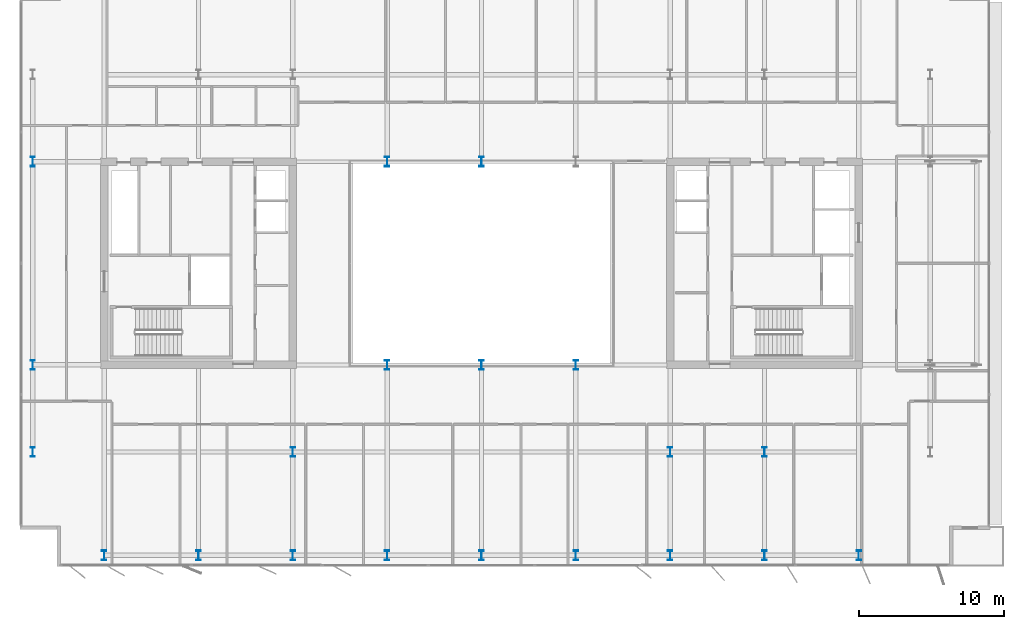
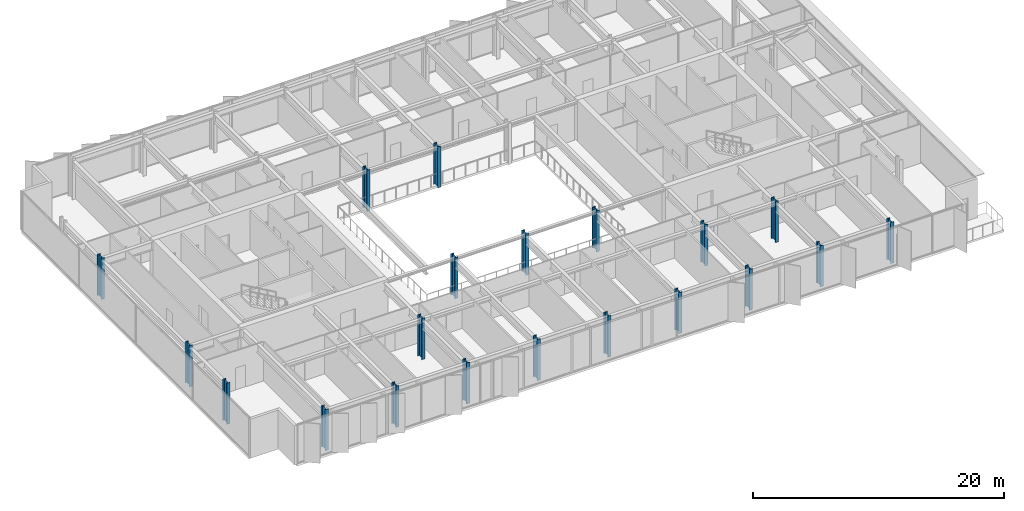
# One storey, part 1 of 20: 20 columns.
"""IFC4 building model written with IfcOpenShell, lengths in metres."""

import ifcopenshell
import ifcopenshell.guid

model = None  # the IFC model being written
_history = None  # IfcOwnerHistory: only IFC2X3 demands one
_inside = {}  # id of a spatial element -> (the spatial element, [elements in it])
_under = {}  # id of a project, library or spatial element -> (it, [spatial elements below it])
_declared = {}  # id of a project -> (the project, [libraries it declares])
_typed = {}  # id of a type object -> (the type object, [elements of that type])
_made_of = {}  # id of a material, layer set ... -> (it, [elements and type objects made of it])


def new_model(schema):
    """Start an empty IFC model of exactly this schema.

    Asked for "IFC4X3", IfcOpenShell would pick the latest addendum, in which some entities
    have other attributes; the version numbers below select the first issue.
    IFC2X3 requires an IfcOwnerHistory on every rooted entity: one is made here for all.
    """
    global model, _history
    if schema == "IFC4X3":
        model = ifcopenshell.file(schema_version=(4, 3, 0, 0))
    else:
        model = ifcopenshell.file(schema=schema)
    _inside.clear()
    _under.clear()
    _declared.clear()
    _typed.clear()
    _made_of.clear()
    _history = None
    if model.schema == "IFC2X3":
        org = make("IfcOrganization", Name="unknown")
        user = make(
            "IfcPersonAndOrganization",
            ThePerson=make("IfcPerson", FamilyName="unknown"),
            TheOrganization=org,
        )
        app = make(
            "IfcApplication",
            ApplicationDeveloper=org,
            Version="unknown",
            ApplicationFullName="unknown",
            ApplicationIdentifier="unknown",
        )
        _history = make(
            "IfcOwnerHistory",
            OwningUser=user,
            OwningApplication=app,
            ChangeAction="ADDED",
            CreationDate=0,
        )
    return model


def make(cls, **values):
    """One entity of the class cls with the attributes given. An attribute that is None is left unset."""
    return model.create_entity(
        cls, **{name: value for name, value in values.items() if value is not None}
    )


def rooted(cls, **values):
    """An entity with a GlobalId (a new one), such as an element, a storey or a relation."""
    return make(cls, GlobalId=ifcopenshell.guid.new(), OwnerHistory=_history, **values)


def si_unit(unit_type, name, prefix=None):
    """IfcSIUnit, for example si_unit("LENGTHUNIT", "METRE", prefix="MILLI")."""
    return make("IfcSIUnit", UnitType=unit_type, Prefix=prefix, Name=name)


def assignment(units):
    """IfcUnitAssignment: the units of a project."""
    return None if units is None else make("IfcUnitAssignment", Units=units)


def point(xyz):
    """IfcCartesianPoint."""
    return None if xyz is None else make("IfcCartesianPoint", Coordinates=xyz)


def direction(xyz):
    """IfcDirection."""
    return None if xyz is None else make("IfcDirection", DirectionRatios=xyz)


def frame(location, z_axis=None, x_axis=None):
    """IfcAxis2Placement3D, a coordinate frame: its origin and axes. An axis left out is left unset."""
    return make(
        "IfcAxis2Placement3D",
        Location=point(location),
        Axis=direction(z_axis),
        RefDirection=direction(x_axis),
    )


def frame_2d(location, x_axis=None):
    """IfcAxis2Placement2D, a coordinate frame in the plane: its origin and x axis."""
    return make(
        "IfcAxis2Placement2D", Location=point(location), RefDirection=direction(x_axis)
    )


def origin():
    """The frame at (0, 0, 0) with its axes left unset."""
    return frame((0.0, 0.0, 0.0))


def origin_2d():
    """The frame at (0, 0) in the plane with its x axis left unset."""
    return frame_2d((0.0, 0.0))


def place(relative_to, where):
    """IfcLocalPlacement: puts the frame where relative to a parent placement (None: the world)."""
    return make(
        "IfcLocalPlacement", PlacementRelTo=relative_to, RelativePlacement=where
    )


def context(
    kind, dimensions, precision=None, world=None, true_north=None, identifier=None
):
    """IfcGeometricRepresentationContext, for example the 3D "Model" context."""
    return make(
        "IfcGeometricRepresentationContext",
        ContextIdentifier=identifier,
        ContextType=kind,
        CoordinateSpaceDimension=dimensions,
        Precision=precision,
        WorldCoordinateSystem=world,
        TrueNorth=true_north,
    )


def subcontext(parent, identifier, kind, view, scale=None):
    """IfcGeometricRepresentationSubContext, for example "Body" below "Model"."""
    return make(
        "IfcGeometricRepresentationSubContext",
        ContextIdentifier=identifier,
        ContextType=kind,
        ParentContext=parent,
        TargetScale=scale,
        TargetView=view,
    )


def project(units=None, contexts=None):
    """IfcProject with its units and contexts."""
    return rooted(
        "IfcProject",
        Name="project",
        RepresentationContexts=contexts,
        UnitsInContext=assignment(units),
    )


def spatial(cls, under=None, at=None, **own):
    """A site, building, storey or space (cls), placed at a placement, below another one or the project."""
    s = rooted(cls, ObjectPlacement=at, **own)
    if under is not None:
        _under.setdefault(under.id(), (under, []))[1].append(s)
    return s


def profile(cls, at=None, kind="AREA", **sizes):
    """A parametric profile (cls). Its sizes go by their IFC names, for example OverallWidth=200.0."""
    return make(cls, ProfileType=kind, Position=at, **sizes)


def i_section(**sizes):
    """IfcIShapeProfileDef."""
    return profile("IfcIShapeProfileDef", **sizes)


def extrude(swept, where, along, depth):
    """IfcExtrudedAreaSolid: the profile swept, set in the frame where, extruded along a direction by depth."""
    return make(
        "IfcExtrudedAreaSolid",
        SweptArea=swept,
        Position=where,
        ExtrudedDirection=direction(along),
        Depth=depth,
    )


def shape(context_of_items, identifier, shape_type, items):
    """IfcShapeRepresentation: the items that make up one representation, for example the "Body"."""
    return make(
        "IfcShapeRepresentation",
        ContextOfItems=context_of_items,
        RepresentationIdentifier=identifier,
        RepresentationType=shape_type,
        Items=items,
    )


def material(Name=None, Category=None):
    """IfcMaterial."""
    return make("IfcMaterial", Name=Name, Category=Category)


def material_profile(
    of_material, cross_section, Name=None, Category=None, Priority=None
):
    """IfcMaterialProfile: a cross section and its material."""
    return make(
        "IfcMaterialProfile",
        Name=Name,
        Material=of_material,
        Profile=cross_section,
        Priority=Priority,
        Category=Category,
    )


def profile_set(profiles, Name=None, composite=None):
    """IfcMaterialProfileSet."""
    return make(
        "IfcMaterialProfileSet",
        Name=Name,
        MaterialProfiles=profiles,
        CompositeProfile=composite,
    )


def made_of(thing, what):
    """Note that an element or type object is made of a material, layer set ...; save() writes the relation."""
    if what is not None:
        _made_of.setdefault(what.id(), (what, []))[1].append(thing)
    return thing


def type_object(cls, material=None, **own):
    """A type object (cls), such as IfcWallType, which elements share."""
    return made_of(rooted(cls, **own), material)


def element(
    cls,
    number,
    at=None,
    inside=None,
    cuts=None,
    type_object=None,
    material=None,
    context=None,
    identifier="Body",
    shape_type=None,
    held_by="IfcProductDefinitionShape",
    body=None,
    shapes=None,
    **own,
):
    """One element of the class cls, such as IfcWall. Its Tag is "e" and its number.

    at: its placement. inside: the storey or other place that contains it. cuts: it is an
    opening in that element (IfcRelVoidsElement). A single representation is given by context,
    identifier, shape_type and body (its items); several are given by shapes. held_by: the class
    of the entity that holds the representations. save() writes the other relations.
    """
    e = rooted(cls, Tag="e%d" % number, ObjectPlacement=at, **own)
    if body is not None:
        shapes = [shape(context, identifier, shape_type, body)]
    if shapes is not None:
        e.Representation = make(held_by, Representations=shapes)
    if inside is not None:
        _inside.setdefault(inside.id(), (inside, []))[1].append(e)
    if cuts is not None:
        rooted(
            "IfcRelVoidsElement", RelatingBuildingElement=cuts, RelatedOpeningElement=e
        )
    if type_object is not None:
        _typed.setdefault(type_object.id(), (type_object, []))[1].append(e)
    return made_of(e, material)


def aggregate(whole, parts):
    """IfcRelAggregates: a whole, such as a stair, and the parts it consists of."""
    return rooted("IfcRelAggregates", RelatingObject=whole, RelatedObjects=parts)


def save(model, path):
    """Write the relations noted so far, then the file.

    IfcRelAggregates (storeys below a building ...), IfcRelContainedInSpatialStructure (elements
    in a storey), IfcRelDefinesByType, IfcRelAssociatesMaterial and IfcRelDeclares: one each for
    every whole, place, type object, material and project.
    """
    for whole, parts in _under.values():
        aggregate(whole, parts)
    for where, things in _inside.values():
        rooted(
            "IfcRelContainedInSpatialStructure",
            RelatedElements=things,
            RelatingStructure=where,
        )
    for kind, things in _typed.values():
        rooted("IfcRelDefinesByType", RelatedObjects=things, RelatingType=kind)
    for what, things in _made_of.values():
        rooted("IfcRelAssociatesMaterial", RelatedObjects=things, RelatingMaterial=what)
    for by, libraries in _declared.values():
        rooted("IfcRelDeclares", RelatingContext=by, RelatedDefinitions=libraries)
    model.write(path)


model = new_model("IFC4")

# Units and contexts
model_context = context("Model", 3, precision=1e-05, world=origin(), true_north=direction((0.0, 1.0)))
body_context = subcontext(model_context, "Body", "Model", "MODEL_VIEW")
ifc_project = project(units=[si_unit("LENGTHUNIT", "METRE"), si_unit("AREAUNIT", "SQUARE_METRE"), si_unit("VOLUMEUNIT", "CUBIC_METRE"), si_unit("PLANEANGLEUNIT", "RADIAN"), si_unit("MASSUNIT", "GRAM", prefix="KILO")], contexts=[model_context])

# Site, building, storey
site_placement = place(None, origin())
site = spatial("IfcSite", under=ifc_project, at=site_placement, CompositionType="ELEMENT")
building_placement = place(site_placement, origin())
building = spatial("IfcBuilding", under=site, at=building_placement, Name="Putna Gate Headquarters", CompositionType="ELEMENT")
storey_placement = place(building_placement, frame((0.0, 0.0, 302.39990234375)))
storey = spatial("IfcBuildingStorey", under=building, at=storey_placement, Name="L76", CompositionType="ELEMENT", Elevation=302.39990234375)

# Columns
ifc_material = material(Name="Steel S460M", Category="steel")
ifc_material_profile_1 = material_profile(ifc_material, i_section(OverallWidth=0.304931640625, OverallDepth=0.66796875, WebThickness=0.02099609375, FlangeThickness=0.0400390625, at=origin_2d()), Name="Steel S460M")
ifc_profile_set_1 = profile_set([ifc_material_profile_1], Name="Steel S460M")
column_type_1 = type_object("IfcColumnType", Name="COL-STL-HEM650-EXT", PredefinedType="COLUMN", material=ifc_profile_set_1)
for number, where, z_axis, x_axis, name in (
    (1, (13.0, 5.8798828125, 0.0), (0.0, 0.0, 1.0), (1.0, 0.0, 0.0), "L76 Column CP-S13"),
    (2, (19.5, 5.8798828125, 0.0), (0.0, 0.0, 1.0), (1.0, 0.0, 0.0), "L76 Column CP-S19"),
    (3, (26.0, 5.8798828125, 0.0), (0.0, 0.0, 1.0), (1.0, 0.0, 0.0), "L76 Column CP-S26"),
    (4, (32.5, 5.8798828125, 0.0), (0.0, 0.0, 1.0), (1.0, 0.0, 0.0), "L76 Column CP-S32"),
    (5, (39.0, 5.8798828125, 0.0), (0.0, 0.0, 1.0), (1.0, 0.0, 0.0), "L76 Column CP-S39"),
    (6, (45.5, 5.8798828125, 0.0), (0.0, 0.0, 1.0), (1.0, 0.0, 0.0), "L76 Column CP-S45"),
    (7, (52.0, 5.8798828125, 0.0), (0.0, 0.0, 1.0), (1.0, 0.0, 0.0), "L76 Column CP-S52"),
    (8, (58.5, 5.8798828125, 0.0), (0.0, 0.0, 1.0), (1.0, 0.0, 0.0), "L76 Column CP-S58"),
    (9, (65.0, 5.8798828125, 0.0), (0.0, 0.0, 1.0), (1.0, 0.0, 0.0), "L76 Column CP-S65"),
    (10, (8.080078125, 13.0, 0.0), (0.0, 0.0, 1.0), (1.0, 0.0, 0.0), "L76 Column CP-W13"),
    (11, (8.080078125, 19.0, 0.0), (0.0, 0.0, 1.0), (1.0, 0.0, 0.0), "L76 Column CP-W19"),
    (12, (8.080078125, 33.0, 0.0), (0.0, 0.0, 1.0), (1.0, 0.0, 0.0), "L76 Column CP-W33"),
):
    element("IfcColumn", number, at=place(storey_placement, frame(where, z_axis=z_axis, x_axis=x_axis)), inside=storey, type_object=column_type_1, Name=name, PredefinedType="COLUMN", context=body_context, shape_type="SweptSolid", body=[
        extrude(i_section(OverallWidth=0.304931640625, OverallDepth=0.66796875, WebThickness=0.02099609375, FlangeThickness=0.0400390625, at=origin_2d()), origin(), (0.0, 0.0, 1.0), 4.0),
    ])
ifc_material_profile_2 = material_profile(ifc_material, i_section(OverallWidth=0.304931640625, OverallDepth=0.66796875, WebThickness=0.02099609375, FlangeThickness=0.0400390625, at=origin_2d()), Name="Steel S460M")
ifc_profile_set_2 = profile_set([ifc_material_profile_2], Name="Steel S460M")
column_type_2 = type_object("IfcColumnType", Name="COL-STL-HEM650-INT", PredefinedType="COLUMN", material=ifc_profile_set_2)
for number, where, z_axis, x_axis, name in (
    (13, (58.5, 13.0, 0.0), (0.0, 0.0, 1.0), (1.0, 0.0, 0.0), "L76 Column CSI-ES"),
    (14, (32.5, 19.0, 0.0), (0.0, 0.0, 1.0), (1.0, 0.0, 0.0), "L76 Column CAI-S32"),
    (15, (32.5, 33.0, 0.0), (0.0, 0.0, 1.0), (1.0, 0.0, 0.0), "L76 Column CAI-N32"),
    (16, (39.0, 19.0, 0.0), (0.0, 0.0, 1.0), (1.0, 0.0, 0.0), "L76 Column CAI-S39"),
    (17, (39.0, 33.0, 0.0), (0.0, 0.0, 1.0), (1.0, 0.0, 0.0), "L76 Column CAI-N39"),
    (18, (45.5, 19.0, 0.0), (0.0, 0.0, 1.0), (1.0, 0.0, 0.0), "L76 Column CAI-S45"),
    (19, (26.0, 13.0, 0.0), (0.0, 0.0, 1.0), (1.0, 0.0, 0.0), "L76 Column CAP-WS"),
    (20, (52.0, 13.0, 0.0), (0.0, 0.0, 1.0), (1.0, 0.0, 0.0), "L76 Column CAP-ES"),
):
    element("IfcColumn", number, at=place(storey_placement, frame(where, z_axis=z_axis, x_axis=x_axis)), inside=storey, type_object=column_type_2, Name=name, PredefinedType="COLUMN", context=body_context, shape_type="SweptSolid", body=[
        extrude(i_section(OverallWidth=0.304931640625, OverallDepth=0.66796875, WebThickness=0.02099609375, FlangeThickness=0.0400390625, at=origin_2d()), origin(), (0.0, 0.0, 1.0), 4.0),
    ])

save(model, "model.ifc")
